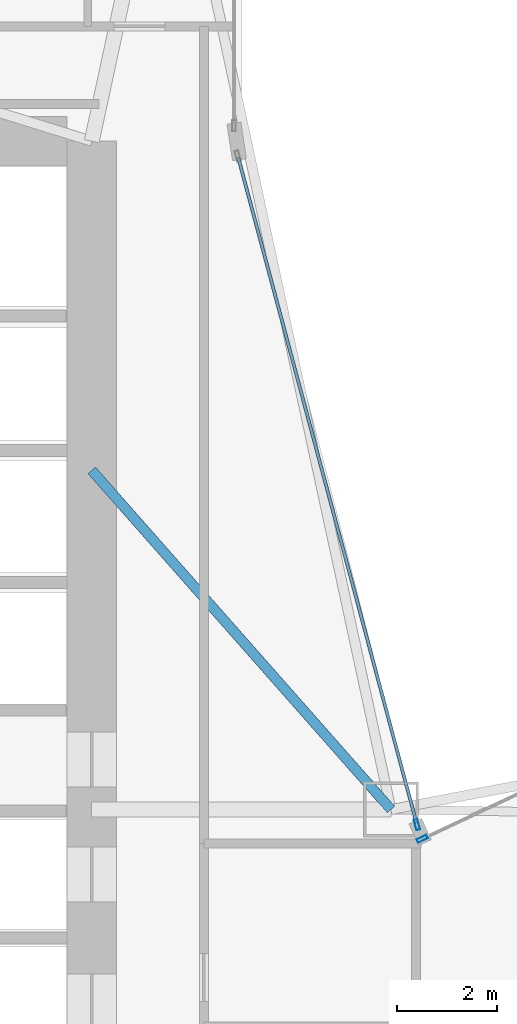
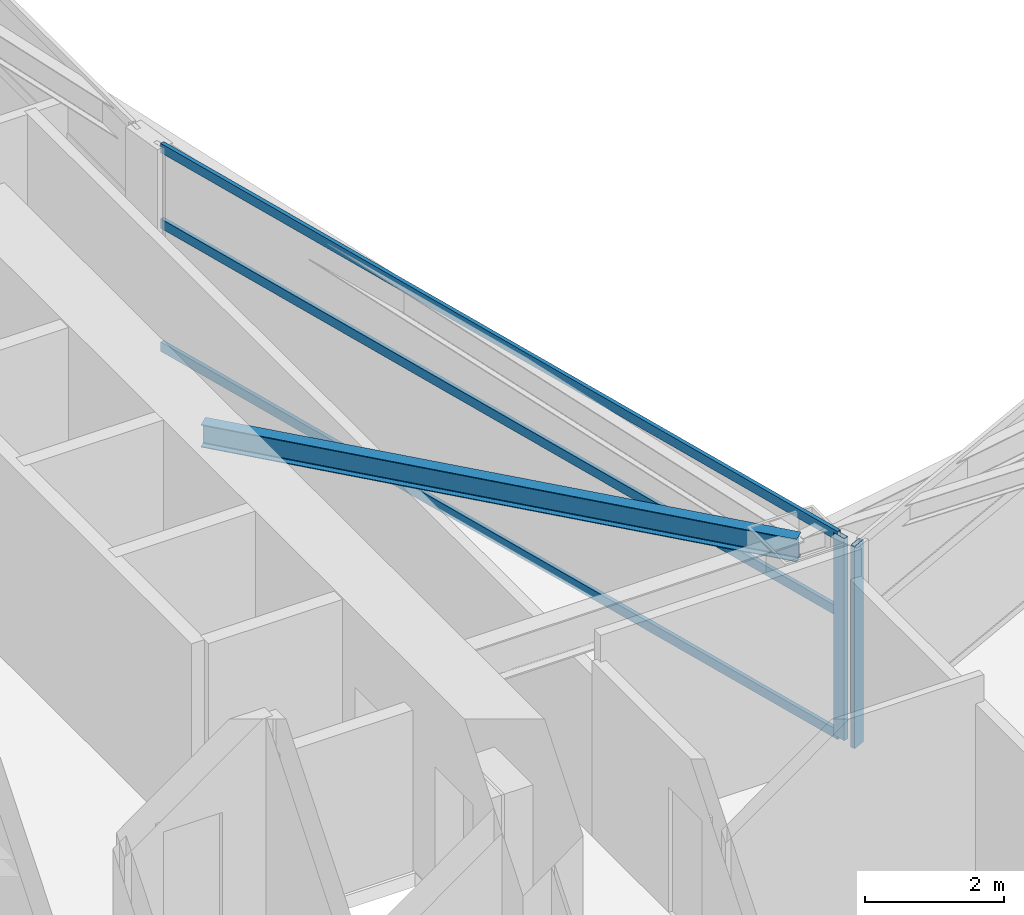
# One storey, part 10 of 30: 5 members, 1 beam, 2 elements without a shape of their own.
"""IFC4 building model written with IfcOpenShell, lengths in metres."""

from ifc_helpers import new_model, si_unit, direction, frame, origin, origin_2d, place, context, subcontext, project, spatial, hollow_rectangle, i_section, extrude, material, layer, layer_set, material_profile, profile_set, type_object, element, aggregate, save


model = new_model("IFC4")

# Units and contexts
model_context = context("Model", 3, precision=1e-05, world=origin(), true_north=direction((0.0, 1.0)))
body_context = subcontext(model_context, "Body", "Model", "MODEL_VIEW")
ifc_project = project(units=[si_unit("LENGTHUNIT", "METRE"), si_unit("AREAUNIT", "SQUARE_METRE"), si_unit("VOLUMEUNIT", "CUBIC_METRE"), si_unit("PLANEANGLEUNIT", "RADIAN"), si_unit("MASSUNIT", "GRAM", prefix="KILO")], contexts=[model_context])

# Site, building, storey
site_placement = place(None, origin())
site = spatial("IfcSite", under=ifc_project, at=site_placement, CompositionType="ELEMENT")
building_placement = place(site_placement, origin())
building = spatial("IfcBuilding", under=site, at=building_placement, Name="Calvorn Quay Hotel", CompositionType="ELEMENT")
storey_placement = place(building_placement, frame((0.0, 0.0, 30.800048828125)))
storey = spatial("IfcBuildingStorey", under=building, at=storey_placement, Name="L06", CompositionType="ELEMENT", Elevation=30.800048828125)

# Beam
ifc_material_1 = material(Name="Steel Q355B", Category="steel")
ifc_material_profile_1 = material_profile(ifc_material_1, i_section(OverallWidth=0.199951171875, OverallDepth=0.39990234375, WebThickness=0.008056640625, FlangeThickness=0.012939453125, FilletRadius=0.01611328125, at=origin_2d()), Name="HN400x200x8x13")
ifc_profile_set_1 = profile_set([ifc_material_profile_1], Name="Steel Q355B")
beam_type = type_object("IfcBeamType", Name="BM-JOIST-TYP", PredefinedType="JOIST", material=ifc_profile_set_1)
beam_placement = place(storey_placement, frame((15.0, 31.800048828125, 3.33984375), z_axis=(0.661618965899, -0.749840212287, 0.0), x_axis=(0.749840212287, 0.661618965899, 0.0)))
element("IfcBeam", 1, at=beam_placement, inside=storey, type_object=beam_type, Name="Beam BJ-L06-C1", PredefinedType="JOIST", context=body_context, shape_type="SweptSolid", body=[
    extrude(i_section(OverallWidth=0.199951171875, OverallDepth=0.39990234375, WebThickness=0.008056640625, FlangeThickness=0.012939453125, FilletRadius=0.01611328125, at=origin_2d()), origin(), (0.0, 0.0, 1.0), 9.068603515625),
])

# Curtain wall, member
ifc_material_2 = material(Name="Pale Anodised Aluminium and Low-E Glass", Category="aluminium")
ifc_layer = layer(ifc_material_2, 0.219970703125)
ifc_layer_set = layer_set([ifc_layer], Name="CW-SYS-Z1")
curtain_wall_type = type_object("IfcCurtainWallType", Name="CW-SYS-Z1", PredefinedType="NOTDEFINED", material=ifc_layer_set)
curtain_wall_1_placement = place(storey_placement, origin())
curtain_wall_1 = element("IfcCurtainWall", 2, at=curtain_wall_1_placement, inside=storey, type_object=curtain_wall_type, Name="Inner Court Curtain Wall L06-NE1", PredefinedType="NOTDEFINED")
ifc_material_3 = material(Name="Pale Anodised Aluminium 6063-T6", Category="aluminium")
ifc_material_profile_2 = material_profile(ifc_material_3, hollow_rectangle(XDim=0.074951171875, YDim=0.219970703125, WallThickness=0.00439453125, at=origin_2d()), Name="ALU-M220x75x4.5")
ifc_profile_set_2 = profile_set([ifc_material_profile_2], Name="Pale Anodised Aluminium 6063-T6")
member_type_1 = type_object("IfcMemberType", Name="CW-SYS-Z1-MUL", PredefinedType="MULLION", material=ifc_profile_set_2)
member_1_placement = place(storey_placement, frame((21.627197265625, 24.412841796875, 0.0), z_axis=(0.0, 0.0, 1.0), x_axis=(0.427006305415, -0.904248646743, 0.0)))
member_1 = element("IfcMember", 3, at=member_1_placement, type_object=member_type_1, Name="CW-L06-NE1 mullion 4", PredefinedType="MULLION", context=body_context, shape_type="SweptSolid", body=[
    extrude(hollow_rectangle(XDim=0.074951171875, YDim=0.219970703125, WallThickness=0.00439453125, at=origin_2d()), origin(), (0.0, 0.0, 1.0), 3.56005859375),
])
aggregate(curtain_wall_1, [member_1])

# Curtain wall, members
curtain_wall_2_placement = place(storey_placement, origin())
curtain_wall_2 = element("IfcCurtainWall", 4, at=curtain_wall_2_placement, inside=storey, type_object=curtain_wall_type, Name="Inner Court Curtain Wall L06-IC1", PredefinedType="NOTDEFINED")
member_2_placement = place(storey_placement, frame((21.520263671875, 24.698974609375, 0.0), z_axis=(0.0, 0.0, 1.0), x_axis=(-0.96593652056, -0.25877913024, 0.0)))
member_2 = element("IfcMember", 5, at=member_2_placement, type_object=member_type_1, Name="CW-L06-IC1 mullion 1", PredefinedType="MULLION", context=body_context, shape_type="SweptSolid", body=[
    extrude(hollow_rectangle(XDim=0.074951171875, YDim=0.219970703125, WallThickness=0.00439453125, at=origin_2d()), origin(), (0.0, 0.0, 1.0), 3.56005859375),
])
ifc_material_4 = material(Name="Pale Anodised Aluminium 6063-T6", Category="aluminium")
ifc_material_profile_3 = material_profile(ifc_material_4, hollow_rectangle(XDim=0.06494140625, YDim=0.1650390625, WallThickness=0.00341796875, at=origin_2d()), Name="ALU-T165x65x3.5")
ifc_profile_set_3 = profile_set([ifc_material_profile_3], Name="Pale Anodised Aluminium 6063-T6")
member_type_2 = type_object("IfcMemberType", Name="CW-SYS-Z1-TRN", PredefinedType="USERDEFINED", material=ifc_profile_set_3)
member_3_placement = place(storey_placement, frame((21.512451171875, 24.72802734375, 0.030029296875), z_axis=(-0.258781136883, 0.965935982969, 0.0), x_axis=(-0.965935982969, -0.258781136883, 0.0)))
member_3 = element("IfcMember", 6, at=member_3_placement, type_object=member_type_2, Name="CW-L06-IC1 transom 1.1", ObjectType="TRANSOM", PredefinedType="USERDEFINED", context=body_context, shape_type="SweptSolid", body=[
    extrude(hollow_rectangle(XDim=0.06494140625, YDim=0.1650390625, WallThickness=0.00341796875, at=origin_2d()), origin(), (0.0, 0.0, 1.0), 13.814453125),
])
member_4_placement = place(storey_placement, frame((21.512451171875, 24.72802734375, 2.199951171875), z_axis=(-0.258781136883, 0.965935982969, 0.0), x_axis=(-0.965935982969, -0.258781136883, 0.0)))
member_4 = element("IfcMember", 7, at=member_4_placement, type_object=member_type_2, Name="CW-L06-IC1 transom 1.2", ObjectType="TRANSOM", PredefinedType="USERDEFINED", context=body_context, shape_type="SweptSolid", body=[
    extrude(hollow_rectangle(XDim=0.06494140625, YDim=0.1650390625, WallThickness=0.00341796875, at=origin_2d()), origin(), (0.0, 0.0, 1.0), 13.814453125),
])
member_5_placement = place(storey_placement, frame((21.512451171875, 24.72802734375, 3.530029296875), z_axis=(-0.258781136883, 0.965935982969, 0.0), x_axis=(-0.965935982969, -0.258781136883, 0.0)))
member_5 = element("IfcMember", 8, at=member_5_placement, type_object=member_type_2, Name="CW-L06-IC1 transom 1.3", ObjectType="TRANSOM", PredefinedType="USERDEFINED", context=body_context, shape_type="SweptSolid", body=[
    extrude(hollow_rectangle(XDim=0.06494140625, YDim=0.1650390625, WallThickness=0.00341796875, at=origin_2d()), origin(), (0.0, 0.0, 1.0), 13.814453125),
])
aggregate(curtain_wall_2, [member_2, member_3, member_4, member_5])

save(model, "model.ifc")
